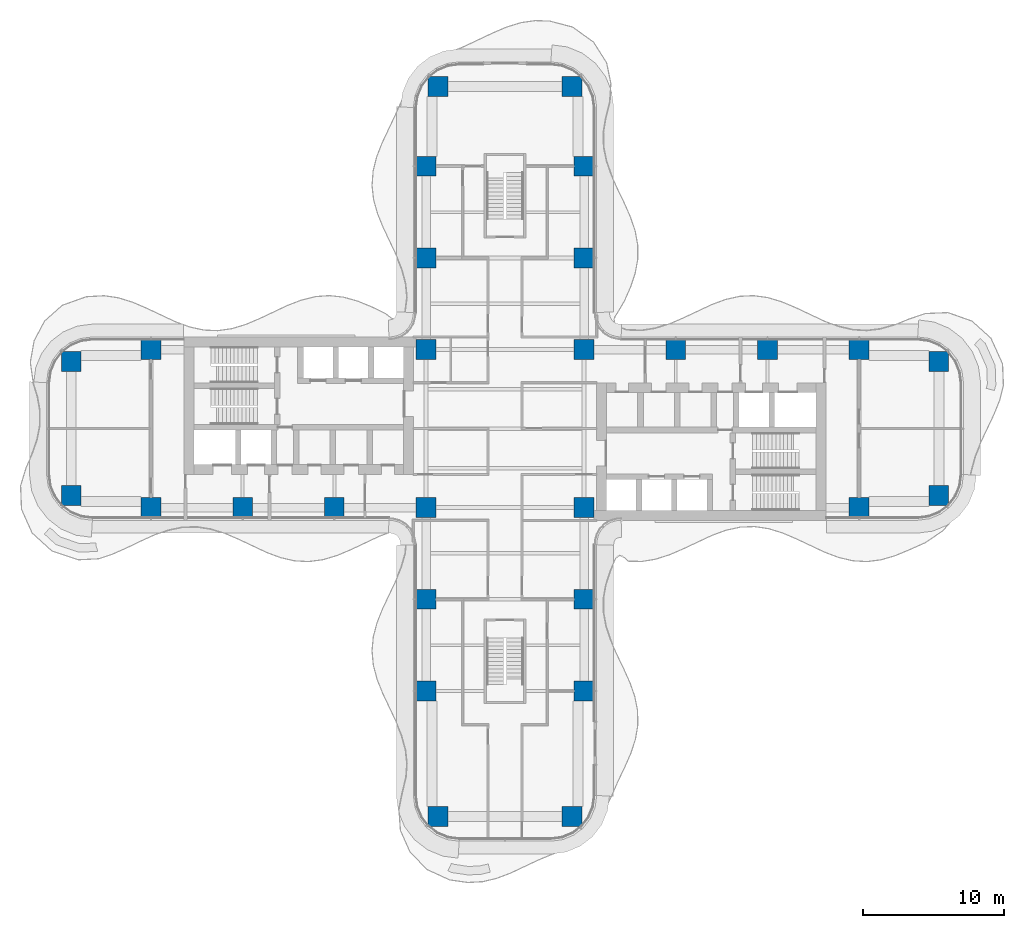
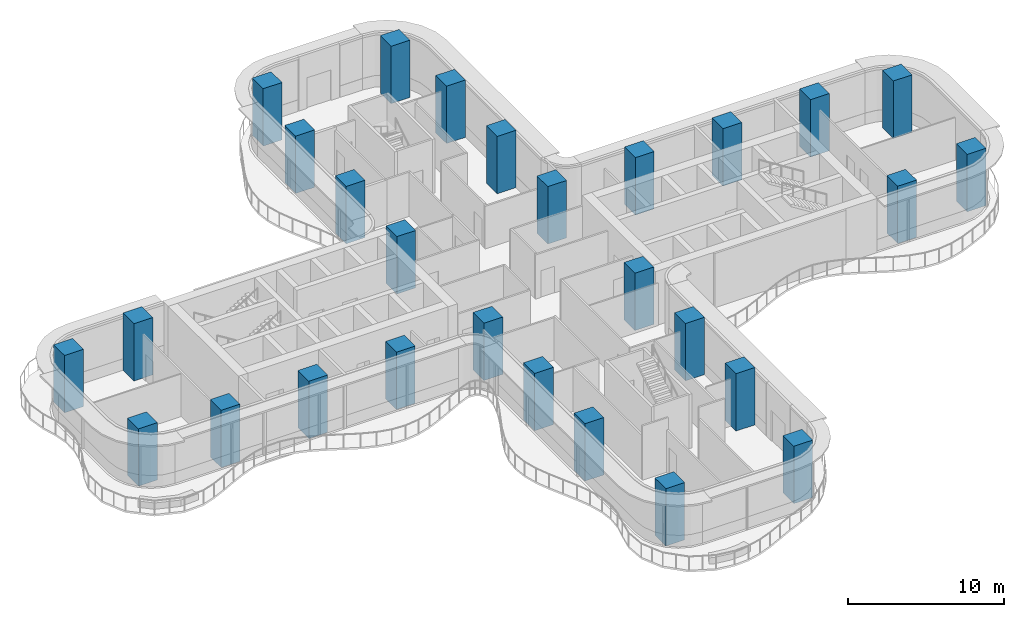
# One storey, part 1 of 22: 28 columns.
"""IFC4 building model written with IfcOpenShell, lengths in metres."""

from ifc_helpers import new_model, si_unit, direction, frame, origin, origin_2d, place, context, subcontext, project, spatial, rectangle, extrude, source, transform, mapped, material, material_profile, profile_set, type_object, element, save


model = new_model("IFC4")

# Units and contexts
model_context = context("Model", 3, precision=1e-05, world=origin(), true_north=direction((0.0, 1.0)))
body_context = subcontext(model_context, "Body", "Model", "MODEL_VIEW")
ifc_project = project(units=[si_unit("LENGTHUNIT", "METRE"), si_unit("AREAUNIT", "SQUARE_METRE"), si_unit("VOLUMEUNIT", "CUBIC_METRE"), si_unit("PLANEANGLEUNIT", "RADIAN"), si_unit("MASSUNIT", "GRAM", prefix="KILO")], contexts=[model_context])

# Site, building, storey
site_placement = place(None, origin())
site = spatial("IfcSite", under=ifc_project, at=site_placement, CompositionType="ELEMENT")
building_placement = place(site_placement, origin())
building = spatial("IfcBuilding", under=site, at=building_placement, Name="Trellis Farm Tower", CompositionType="ELEMENT")
storey_placement = place(building_placement, frame((0.0, 0.0, 70.0)))
storey = spatial("IfcBuildingStorey", under=building, at=storey_placement, Name="L14", CompositionType="ELEMENT", Elevation=70.0)

# Columns
ifc_material = material(Name="Concrete C80/95", Category="concrete")
ifc_material_profile = material_profile(ifc_material, rectangle(XDim=1.39990234375, YDim=1.39990234375, at=origin_2d()), Name="RC column 1400x1400 C80/95")
ifc_profile_set = profile_set([ifc_material_profile], Name="Concrete C80/95")
column_type = type_object("IfcColumnType", Name="RC column 1400x1400 C80/95", PredefinedType="COLUMN", material=ifc_profile_set)
shared_shape = source(origin(), body_context, "Body", "SweptSolid", [
    extrude(rectangle(XDim=1.39990234375, YDim=1.39990234375, at=origin_2d()), origin(), (0.0, 0.0, 1.0), 4.5),
])
for number, where, z_axis, x_axis, name in (
    (1, (12.10009765625, 5.60009765625, 0.0), (0.0, 0.0, 1.0), (1.0, 0.0, 0.0), "Column"),
    (2, (18.60009765625, 5.60009765625, 0.0), (0.0, 0.0, 1.0), (1.0, 0.0, 0.0), "Column"),
    (3, (25.10009765625, 5.60009765625, 0.0), (0.0, 0.0, 1.0), (1.0, 0.0, 0.0), "Column"),
    (4, (30.75, 4.75, 0.0), (0.0, 0.0, 1.0), (1.0, 0.0, 0.0), "Column"),
    (5, (25.10009765625, -5.60009765625, 0.0), (0.0, 0.0, 1.0), (1.0, 0.0, 0.0), "Column"),
    (6, (30.75, -4.75, 0.0), (0.0, 0.0, 1.0), (1.0, 0.0, 0.0), "Column"),
    (7, (-5.60009765625, 12.10009765625, 0.0), (0.0, 0.0, 1.0), (1.0, 0.0, 0.0), "Column"),
    (8, (-5.60009765625, 18.60009765625, 0.0), (0.0, 0.0, 1.0), (1.0, 0.0, 0.0), "Column"),
    (9, (-4.75, 24.25, 0.0), (0.0, 0.0, 1.0), (1.0, 0.0, 0.0), "Column"),
    (10, (5.60009765625, 12.10009765625, 0.0), (0.0, 0.0, 1.0), (1.0, 0.0, 0.0), "Column"),
    (11, (5.60009765625, 18.60009765625, 0.0), (0.0, 0.0, 1.0), (1.0, 0.0, 0.0), "Column"),
    (12, (4.75, 24.25, 0.0), (0.0, 0.0, 1.0), (1.0, 0.0, 0.0), "Column"),
    (13, (5.60009765625, 5.60009765625, 0.0), (0.0, 0.0, 1.0), (1.0, 0.0, 0.0), "Column"),
    (14, (-5.60009765625, 5.60009765625, 0.0), (0.0, 0.0, 1.0), (1.0, 0.0, 0.0), "Column"),
    (15, (5.60009765625, -5.60009765625, 0.0), (0.0, 0.0, 1.0), (1.0, 0.0, 0.0), "Column"),
    (16, (-5.60009765625, -5.60009765625, 0.0), (0.0, 0.0, 1.0), (1.0, 0.0, 0.0), "Column"),
    (17, (5.60009765625, -12.10009765625, 0.0), (0.0, 0.0, 1.0), (1.0, 0.0, 0.0), "Column"),
    (18, (5.60009765625, -18.60009765625, 0.0), (0.0, 0.0, 1.0), (1.0, 0.0, 0.0), "Column"),
    (19, (4.75, -27.5, 0.0), (0.0, 0.0, 1.0), (1.0, 0.0, 0.0), "Column"),
    (20, (-5.60009765625, -12.10009765625, 0.0), (0.0, 0.0, 1.0), (1.0, 0.0, 0.0), "Column"),
    (21, (-5.60009765625, -18.60009765625, 0.0), (0.0, 0.0, 1.0), (1.0, 0.0, 0.0), "Column"),
    (22, (-4.75, -27.5, 0.0), (0.0, 0.0, 1.0), (1.0, 0.0, 0.0), "Column"),
    (23, (-12.10009765625, -5.60009765625, 0.0), (0.0, 0.0, 1.0), (1.0, 0.0, 0.0), "Column"),
    (24, (-18.60009765625, -5.60009765625, 0.0), (0.0, 0.0, 1.0), (1.0, 0.0, 0.0), "Column"),
    (25, (-25.10009765625, -5.60009765625, 0.0), (0.0, 0.0, 1.0), (1.0, 0.0, 0.0), "Column"),
    (26, (-30.75, -4.75, 0.0), (0.0, 0.0, 1.0), (1.0, 0.0, 0.0), "Column"),
    (27, (-25.10009765625, 5.60009765625, 0.0), (0.0, 0.0, 1.0), (1.0, 0.0, 0.0), "Column"),
    (28, (-30.75, 4.75, 0.0), (0.0, 0.0, 1.0), (1.0, 0.0, 0.0), "Column"),
):
    element("IfcColumn", number, at=place(storey_placement, frame(where, z_axis=z_axis, x_axis=x_axis)), inside=storey, type_object=column_type, Name=name, PredefinedType="COLUMN", context=body_context, shape_type="MappedRepresentation", body=[
        mapped(shared_shape, transform((0.0, 0.0, 0.0))),
    ])

save(model, "model.ifc")
